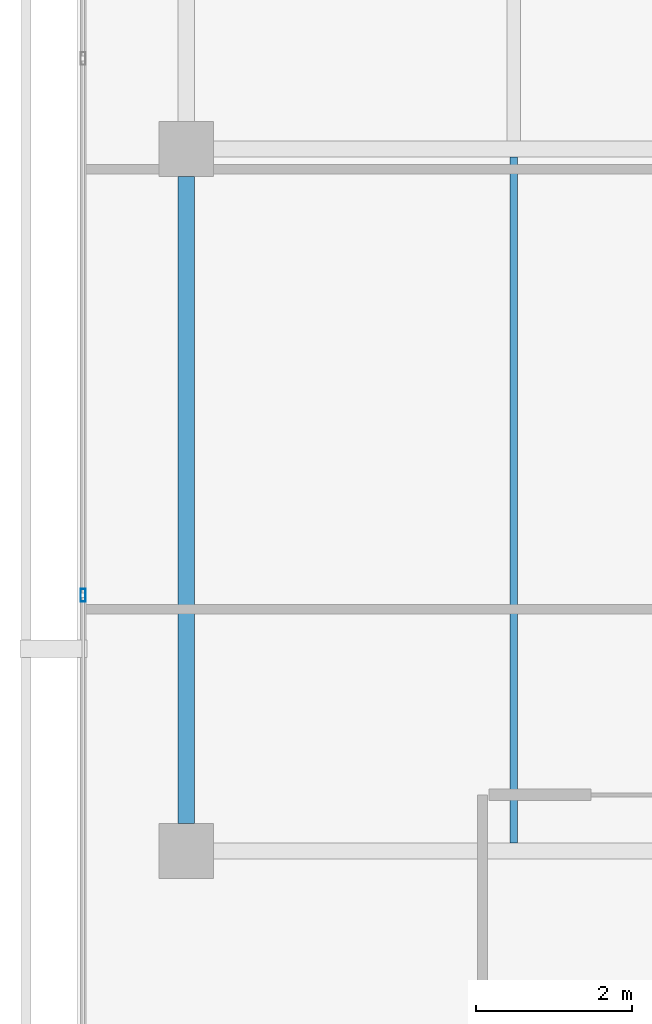
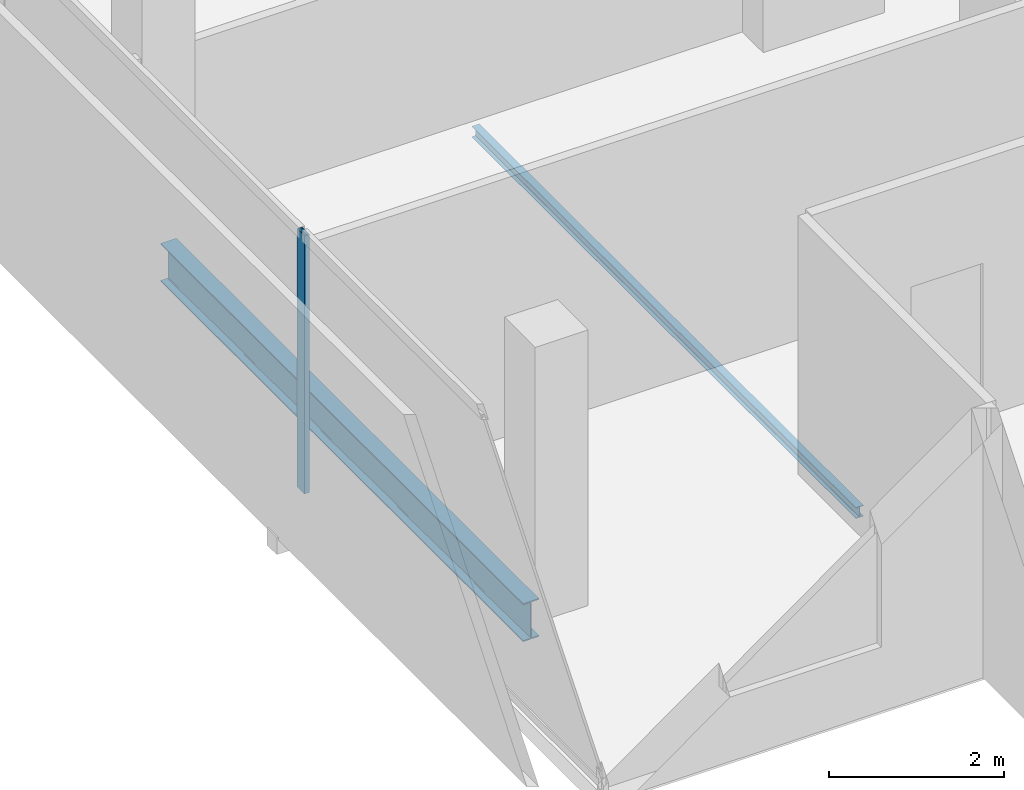
# One storey, part 4 of 25: 2 beams, 1 member, 1 element without a shape of its own.
"""IFC4 building model written with IfcOpenShell, lengths in metres."""

from ifc_helpers import new_model, si_unit, direction, frame, origin, origin_2d, place, context, subcontext, project, spatial, hollow_rectangle, i_section, extrude, material, layer, layer_set, material_profile, profile_set, type_object, element, aggregate, save


model = new_model("IFC4")

# Units and contexts
model_context = context("Model", 3, precision=1e-05, world=origin(), true_north=direction((0.0, 1.0)))
body_context = subcontext(model_context, "Body", "Model", "MODEL_VIEW")
ifc_project = project(units=[si_unit("LENGTHUNIT", "METRE"), si_unit("AREAUNIT", "SQUARE_METRE"), si_unit("VOLUMEUNIT", "CUBIC_METRE"), si_unit("PLANEANGLEUNIT", "RADIAN"), si_unit("MASSUNIT", "GRAM", prefix="KILO")], contexts=[model_context])

# Site, building, storey
site_placement = place(None, origin())
site = spatial("IfcSite", under=ifc_project, at=site_placement, CompositionType="ELEMENT")
building_placement = place(site_placement, origin())
building = spatial("IfcBuilding", under=site, at=building_placement, Name="Maruvema Waterfront Hotel and Observation Tower", CompositionType="ELEMENT")
storey_placement = place(building_placement, frame((0.0, 0.0, 239.39990234375)))
storey = spatial("IfcBuildingStorey", under=building, at=storey_placement, Name="L58", CompositionType="ELEMENT", Elevation=239.39990234375)

# Curtain wall, member
ifc_material_1 = material(Name="Anodised bronze aluminium and solar-control low-E IGU", Category="aluminium")
ifc_layer = layer(ifc_material_1, 0.159912109375, Name="Zone 3 Champagne Inner Thermal Curtain Wall System CW-04")
ifc_layer_set = layer_set([ifc_layer], Name="Anodised bronze aluminium and solar-control low-E IGU")
curtain_wall_type = type_object("IfcCurtainWallType", Name="Zone 3 Champagne Inner Thermal Curtain Wall System CW-04", PredefinedType="USERDEFINED", material=ifc_layer_set)
curtain_wall_placement = place(storey_placement, origin())
curtain_wall = element("IfcCurtainWall", 1, at=curtain_wall_placement, inside=storey, type_object=curtain_wall_type, Name="L58 Curtain Wall CW-L58-W", ObjectType="UNITISED CURTAIN WALL", PredefinedType="USERDEFINED")
ifc_material_2 = material(Name="Anodised architectural bronze aluminium", Category="aluminium")
ifc_material_profile_1 = material_profile(ifc_material_2, hollow_rectangle(XDim=0.06494140625, YDim=0.1650390625, WallThickness=0.00390625, at=origin_2d()), Name="ALU-M65x165")
ifc_profile_set_1 = profile_set([ifc_material_profile_1], Name="Anodised architectural bronze aluminium")
member_type = type_object("IfcMemberType", Name="Curtain Wall Primary Mullion ALU-M65x165", PredefinedType="MULLION", material=ifc_profile_set_1)
member_placement = place(storey_placement, frame((15.47998046875, 21.280029296875, 0.0), z_axis=(0.0, 0.0, 1.0), x_axis=(1.0, 0.0, 0.0)))
member = element("IfcMember", 2, at=member_placement, type_object=member_type, Name="CW-04 mullion 5", PredefinedType="MULLION", context=body_context, shape_type="SweptSolid", body=[
    extrude(hollow_rectangle(XDim=0.06494140625, YDim=0.1650390625, WallThickness=0.00390625, at=origin_2d()), origin(), (0.0, 0.0, 1.0), 3.610107421875),
])
aggregate(curtain_wall, [member])

# Beams
ifc_material_3 = material(Name="Steel ASTM A572 Grade 50", Category="steel")
ifc_material_profile_2 = material_profile(ifc_material_3, i_section(OverallWidth=0.208984375, OverallDepth=0.532958984375, WebThickness=0.01025390625, FlangeThickness=0.015625, FilletRadius=0.014892578125, at=origin_2d()), Name="W530x92.0")
ifc_profile_set_2 = profile_set([ifc_material_profile_2], Name="Steel ASTM A572 Grade 50")
beam_type_1 = type_object("IfcBeamType", Name="Primary Floor Girder W530x92.0", PredefinedType="BEAM", material=ifc_profile_set_2)
beam_1_placement = place(storey_placement, frame((16.800048828125, 18.35009765625, -0.50634765625), z_axis=(0.0, 1.0, 0.0), x_axis=(-1.0, 0.0, 0.0)))
element("IfcBeam", 3, at=beam_1_placement, inside=storey, type_object=beam_type_1, Name="L58 Floor Girder NS-01", PredefinedType="BEAM", context=body_context, shape_type="SweptSolid", body=[
    extrude(i_section(OverallWidth=0.208984375, OverallDepth=0.532958984375, WebThickness=0.01025390625, FlangeThickness=0.015625, FilletRadius=0.014892578125, at=origin_2d()), origin(), (0.0, 0.0, 1.0), 8.2998046875),
])
ifc_material_4 = material(Name="Steel ASTM A572 Grade 50", Category="steel")
ifc_material_profile_3 = material_profile(ifc_material_4, i_section(OverallWidth=0.10009765625, OverallDepth=0.153076171875, WebThickness=0.005859375, FlangeThickness=0.007080078125, FilletRadius=0.008056640625, at=origin_2d()), Name="W150x18.0")
ifc_profile_set_3 = profile_set([ifc_material_profile_3], Name="Steel ASTM A572 Grade 50")
beam_type_2 = type_object("IfcBeamType", Name="Secondary Floor Joist W150x18.0", PredefinedType="JOIST", material=ifc_profile_set_3)
beam_2_placement = place(storey_placement, frame((21.0, 18.1044921875, -0.31640625), z_axis=(0.0, 1.0, 0.0), x_axis=(-1.0, 0.0, 0.0)))
element("IfcBeam", 4, at=beam_2_placement, inside=storey, type_object=beam_type_2, Name="L58 Secondary Floor Joist JS-01", PredefinedType="JOIST", context=body_context, shape_type="SweptSolid", body=[
    extrude(i_section(OverallWidth=0.10009765625, OverallDepth=0.153076171875, WebThickness=0.005859375, FlangeThickness=0.007080078125, FilletRadius=0.008056640625, at=origin_2d()), origin(), (0.0, 0.0, 1.0), 8.791015625),
])

save(model, "model.ifc")
